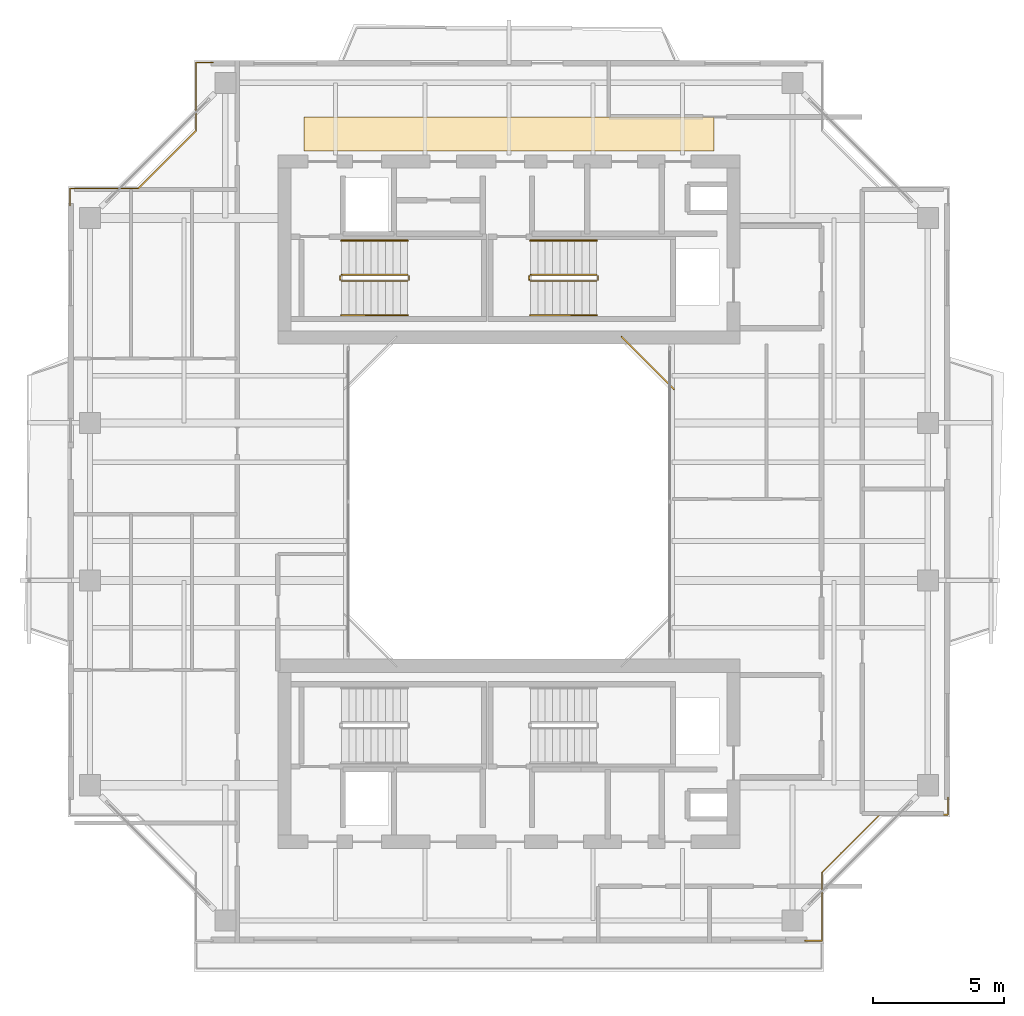
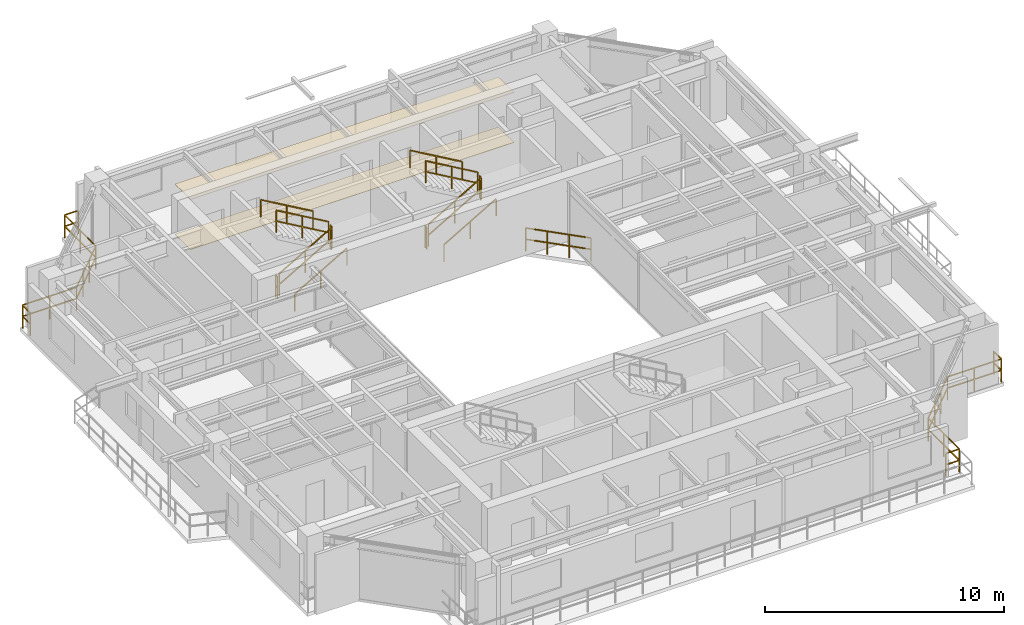
# One storey, part 15 of 16: 15 railings, 2 coverings.
"""IFC4 building model written with IfcOpenShell, lengths in metres."""

from ifc_helpers import new_model, si_unit, direction, frame, origin, origin_2d, place, context, subcontext, project, spatial, polyline, rectangle, outline, extrude, material, layer, layer_set, type_object, element, save


model = new_model("IFC4")

# Units and contexts
model_context = context("Model", 3, precision=1e-05, world=origin(), true_north=direction((0.0, 1.0)))
body_context = subcontext(model_context, "Body", "Model", "MODEL_VIEW")
ifc_project = project(units=[si_unit("LENGTHUNIT", "METRE"), si_unit("AREAUNIT", "SQUARE_METRE"), si_unit("VOLUMEUNIT", "CUBIC_METRE"), si_unit("PLANEANGLEUNIT", "RADIAN"), si_unit("MASSUNIT", "GRAM", prefix="KILO"), si_unit("THERMODYNAMICTEMPERATUREUNIT", "KELVIN"), si_unit("POWERUNIT", "WATT")], contexts=[model_context])

# Site, building, storey
site_placement = place(None, origin())
site = spatial("IfcSite", under=ifc_project, at=site_placement, CompositionType="ELEMENT")
building_placement = place(site_placement, origin())
building = spatial("IfcBuilding", under=site, at=building_placement, Name="Qiaomeng Ring Towers", CompositionType="ELEMENT")
storey_placement = place(building_placement, frame((0.0, 0.0, 190.5)))
storey = spatial("IfcBuildingStorey", under=building, at=storey_placement, Name="L55", CompositionType="ELEMENT", Elevation=190.5)

# Coverings
ifc_material_1 = material(Name="Moisture-resistant gypsum ceiling board", Category="gypsum")
ifc_layer_1 = layer(ifc_material_1, 0.030029296875, Name="Moisture-resistant gypsum ceiling board")
ifc_layer_set_1 = layer_set([ifc_layer_1], Name="Moisture-resistant gypsum ceiling board")
covering_type_1 = type_object("IfcCoveringType", Name="ARC-COV-CEIL2", PredefinedType="CEILING", material=ifc_layer_set_1)
covering_1_placement = place(storey_placement, frame((0.0, 0.0, 2.550048828125)))
element("IfcCovering", 1, at=covering_1_placement, inside=storey, type_object=covering_type_1, Name="L55 Corridor Acoustic Ceiling", PredefinedType="CEILING", context=body_context, shape_type="SweptSolid", body=[
    extrude(outline(polyline([(11.199951171875, 36.35009765625), (11.199951171875, 37.64990234375), (26.800048828125, 37.64990234375), (26.800048828125, 36.35009765625), (11.199951171875, 36.35009765625)])), origin(), (0.0, 0.0, 1.0), 0.02490234375),
])
ifc_material_2 = material(Name="Vitrified porcelain floor tile", Category="ceramic")
ifc_layer_2 = layer(ifc_material_2, 0.02001953125, Name="Vitrified porcelain floor tile")
ifc_layer_set_2 = layer_set([ifc_layer_2], Name="Vitrified porcelain floor tile")
covering_type_2 = type_object("IfcCoveringType", Name="ARC-COV-FLR1", PredefinedType="FLOORING", material=ifc_layer_set_2)
covering_2_placement = place(storey_placement, origin())
element("IfcCovering", 2, at=covering_2_placement, inside=storey, type_object=covering_type_2, Name="L55 Corridor Stone Flooring", PredefinedType="FLOORING", context=body_context, shape_type="SweptSolid", body=[
    extrude(outline(polyline([(11.199951171875, 36.35009765625), (11.199951171875, 37.64990234375), (26.800048828125, 37.64990234375), (26.800048828125, 36.35009765625), (11.199951171875, 36.35009765625)])), origin(), (0.0, 0.0, 1.0), 0.02001953125),
])

# Railings
ifc_material_3 = material(Name="Low-E pale-green laminated safety glass", Category="glass")
railing_type_1 = type_object("IfcRailingType", Name="ARC-RL-BAL1", PredefinedType="BALUSTRADE", material=ifc_material_3)
railing_1_placement = place(storey_placement, frame((25.280029296875, 27.280029296875, 0.0)))
element("IfcRailing", 3, at=railing_1_placement, inside=storey, type_object=railing_type_1, Name="L55 Balustrade ARC-BAL-WELL1-L55-2", PredefinedType="BALUSTRADE", context=body_context, shape_type="SweptSolid", body=[
    extrude(rectangle(XDim=0.048095703125, YDim=0.048095703125, at=origin_2d()), frame((0.0, 0.0, 1.17578125), z_axis=(-0.707106781187, 0.707106781187, 0.0), x_axis=(-0.707106781187, -0.707106781187, 0.0)), (0.0, 0.0, 1.0), 2.828369140625),
    extrude(rectangle(XDim=0.048095703125, YDim=0.048095703125, at=origin_2d()), frame((0.0, 0.0, 0.60009765625), z_axis=(-0.707106781187, 0.707106781187, 0.0), x_axis=(-0.707106781187, -0.707106781187, 0.0)), (0.0, 0.0, 1.0), 2.828369140625),
    extrude(rectangle(XDim=0.0419921875, YDim=0.0419921875, at=origin_2d()), origin(), (0.0, 0.0, 1.0), 1.15185546875),
    extrude(rectangle(XDim=0.0419921875, YDim=0.0419921875, at=origin_2d()), frame((-0.666748046875, 0.666748046875, 0.0)), (0.0, 0.0, 1.0), 1.15185546875),
    extrude(rectangle(XDim=0.0419921875, YDim=0.0419921875, at=origin_2d()), frame((-1.333251953125, 1.333251953125, 0.0)), (0.0, 0.0, 1.0), 1.15185546875),
    extrude(rectangle(XDim=0.0419921875, YDim=0.0419921875, at=origin_2d()), frame((-2.0, 2.0, 0.0)), (0.0, 0.0, 1.0), 1.15185546875),
])
railing_2_placement = place(storey_placement, frame((30.27001953125, 6.280029296875, 0.0)))
element("IfcRailing", 4, at=railing_2_placement, inside=storey, type_object=railing_type_1, Name="L55 Balustrade ARC-BAL-NOTCH1-L55-SE", PredefinedType="BALUSTRADE", context=body_context, shape_type="SweptSolid", body=[
    extrude(rectangle(XDim=0.048095703125, YDim=0.048095703125, at=origin_2d()), frame((0.0, 0.0, 1.17578125), z_axis=(1.0, 0.0, 0.0), x_axis=(0.0, 1.0, 0.0)), (0.0, 0.0, 1.0), 0.64990234375),
    extrude(rectangle(XDim=0.048095703125, YDim=0.048095703125, at=origin_2d()), frame((0.0, 0.0, 0.60009765625), z_axis=(1.0, 0.0, 0.0), x_axis=(0.0, 1.0, 0.0)), (0.0, 0.0, 1.0), 0.64990234375),
    extrude(rectangle(XDim=0.048095703125, YDim=0.048095703125, at=origin_2d()), frame((0.64990234375, 0.0, 1.17578125), z_axis=(0.0, 1.0, 0.0), x_axis=(-1.0, 0.0, 0.0)), (0.0, 0.0, 1.0), 2.599853515625),
    extrude(rectangle(XDim=0.048095703125, YDim=0.048095703125, at=origin_2d()), frame((0.64990234375, 0.0, 0.60009765625), z_axis=(0.0, 1.0, 0.0), x_axis=(-1.0, 0.0, 0.0)), (0.0, 0.0, 1.0), 2.599853515625),
    extrude(rectangle(XDim=0.048095703125, YDim=0.048095703125, at=origin_2d()), frame((0.64990234375, 2.599853515625, 1.17578125), z_axis=(0.707106781187, 0.707106781187, 0.0), x_axis=(-0.707106781187, 0.707106781187, 0.0)), (0.0, 0.0, 1.0), 3.111572265625),
    extrude(rectangle(XDim=0.048095703125, YDim=0.048095703125, at=origin_2d()), frame((0.64990234375, 2.599853515625, 0.60009765625), z_axis=(0.707106781187, 0.707106781187, 0.0), x_axis=(-0.707106781187, 0.707106781187, 0.0)), (0.0, 0.0, 1.0), 3.111572265625),
    extrude(rectangle(XDim=0.048095703125, YDim=0.048095703125, at=origin_2d()), frame((2.85009765625, 4.800048828125, 1.17578125), z_axis=(1.0, 0.0, 0.0), x_axis=(0.0, 1.0, 0.0)), (0.0, 0.0, 1.0), 2.599853515625),
    extrude(rectangle(XDim=0.048095703125, YDim=0.048095703125, at=origin_2d()), frame((2.85009765625, 4.800048828125, 0.60009765625), z_axis=(1.0, 0.0, 0.0), x_axis=(0.0, 1.0, 0.0)), (0.0, 0.0, 1.0), 2.599853515625),
    extrude(rectangle(XDim=0.048095703125, YDim=0.048095703125, at=origin_2d()), frame((5.449951171875, 4.800048828125, 1.17578125), z_axis=(0.0, 1.0, 0.0), x_axis=(-1.0, 0.0, 0.0)), (0.0, 0.0, 1.0), 0.64990234375),
    extrude(rectangle(XDim=0.048095703125, YDim=0.048095703125, at=origin_2d()), frame((5.449951171875, 4.800048828125, 0.60009765625), z_axis=(0.0, 1.0, 0.0), x_axis=(-1.0, 0.0, 0.0)), (0.0, 0.0, 1.0), 0.64990234375),
    extrude(rectangle(XDim=0.0419921875, YDim=0.0419921875, at=origin_2d()), origin(), (0.0, 0.0, 1.0), 1.15185546875),
    extrude(rectangle(XDim=0.0419921875, YDim=0.0419921875, at=origin_2d()), frame((0.64990234375, 0.0, 0.0)), (0.0, 0.0, 1.0), 1.15185546875),
    extrude(rectangle(XDim=0.0419921875, YDim=0.0419921875, at=origin_2d()), frame((0.64990234375, 1.2998046875, 0.0)), (0.0, 0.0, 1.0), 1.15185546875),
    extrude(rectangle(XDim=0.0419921875, YDim=0.0419921875, at=origin_2d()), frame((0.64990234375, 2.599853515625, 0.0)), (0.0, 0.0, 1.0), 1.15185546875),
    extrude(rectangle(XDim=0.0419921875, YDim=0.0419921875, at=origin_2d()), frame((1.38330078125, 3.333251953125, 0.0)), (0.0, 0.0, 1.0), 1.15185546875),
    extrude(rectangle(XDim=0.0419921875, YDim=0.0419921875, at=origin_2d()), frame((2.11669921875, 4.066650390625, 0.0)), (0.0, 0.0, 1.0), 1.15185546875),
    extrude(rectangle(XDim=0.0419921875, YDim=0.0419921875, at=origin_2d()), frame((2.85009765625, 4.800048828125, 0.0)), (0.0, 0.0, 1.0), 1.15185546875),
    extrude(rectangle(XDim=0.0419921875, YDim=0.0419921875, at=origin_2d()), frame((4.14990234375, 4.800048828125, 0.0)), (0.0, 0.0, 1.0), 1.15185546875),
    extrude(rectangle(XDim=0.0419921875, YDim=0.0419921875, at=origin_2d()), frame((5.449951171875, 4.800048828125, 0.0)), (0.0, 0.0, 1.0), 1.15185546875),
    extrude(rectangle(XDim=0.0419921875, YDim=0.0419921875, at=origin_2d()), frame((5.449951171875, 5.449951171875, 0.0)), (0.0, 0.0, 1.0), 1.15185546875),
])
railing_3_placement = place(storey_placement, frame((7.72998046875, 39.719970703125, 0.0)))
element("IfcRailing", 5, at=railing_3_placement, inside=storey, type_object=railing_type_1, Name="L55 Balustrade ARC-BAL-NOTCH1-L55-NW", PredefinedType="BALUSTRADE", context=body_context, shape_type="SweptSolid", body=[
    extrude(rectangle(XDim=0.048095703125, YDim=0.048095703125, at=origin_2d()), frame((0.0, 0.0, 1.17578125), z_axis=(-1.0, 0.0, 0.0), x_axis=(0.0, -1.0, 0.0)), (0.0, 0.0, 1.0), 0.64990234375),
    extrude(rectangle(XDim=0.048095703125, YDim=0.048095703125, at=origin_2d()), frame((0.0, 0.0, 0.60009765625), z_axis=(-1.0, 0.0, 0.0), x_axis=(0.0, -1.0, 0.0)), (0.0, 0.0, 1.0), 0.64990234375),
    extrude(rectangle(XDim=0.048095703125, YDim=0.048095703125, at=origin_2d()), frame((-0.64990234375, 0.0, 1.17578125), z_axis=(0.0, -1.0, 0.0), x_axis=(1.0, 0.0, 0.0)), (0.0, 0.0, 1.0), 2.599853515625),
    extrude(rectangle(XDim=0.048095703125, YDim=0.048095703125, at=origin_2d()), frame((-0.64990234375, 0.0, 0.60009765625), z_axis=(0.0, -1.0, 0.0), x_axis=(1.0, 0.0, 0.0)), (0.0, 0.0, 1.0), 2.599853515625),
    extrude(rectangle(XDim=0.048095703125, YDim=0.048095703125, at=origin_2d()), frame((-0.64990234375, -2.599853515625, 1.17578125), z_axis=(-0.707106781187, -0.707106781187, 0.0), x_axis=(0.707106781187, -0.707106781187, 0.0)), (0.0, 0.0, 1.0), 3.111572265625),
    extrude(rectangle(XDim=0.048095703125, YDim=0.048095703125, at=origin_2d()), frame((-0.64990234375, -2.599853515625, 0.60009765625), z_axis=(-0.707106781187, -0.707106781187, 0.0), x_axis=(0.707106781187, -0.707106781187, 0.0)), (0.0, 0.0, 1.0), 3.111572265625),
    extrude(rectangle(XDim=0.048095703125, YDim=0.048095703125, at=origin_2d()), frame((-2.85009765625, -4.800048828125, 1.17578125), z_axis=(-1.0, 0.0, 0.0), x_axis=(0.0, -1.0, 0.0)), (0.0, 0.0, 1.0), 2.599853515625),
    extrude(rectangle(XDim=0.048095703125, YDim=0.048095703125, at=origin_2d()), frame((-2.85009765625, -4.800048828125, 0.60009765625), z_axis=(-1.0, 0.0, 0.0), x_axis=(0.0, -1.0, 0.0)), (0.0, 0.0, 1.0), 2.599853515625),
    extrude(rectangle(XDim=0.048095703125, YDim=0.048095703125, at=origin_2d()), frame((-5.449951171875, -4.800048828125, 1.17578125), z_axis=(0.0, -1.0, 0.0), x_axis=(1.0, 0.0, 0.0)), (0.0, 0.0, 1.0), 0.64990234375),
    extrude(rectangle(XDim=0.048095703125, YDim=0.048095703125, at=origin_2d()), frame((-5.449951171875, -4.800048828125, 0.60009765625), z_axis=(0.0, -1.0, 0.0), x_axis=(1.0, 0.0, 0.0)), (0.0, 0.0, 1.0), 0.64990234375),
    extrude(rectangle(XDim=0.0419921875, YDim=0.0419921875, at=origin_2d()), origin(), (0.0, 0.0, 1.0), 1.15185546875),
    extrude(rectangle(XDim=0.0419921875, YDim=0.0419921875, at=origin_2d()), frame((-0.64990234375, 0.0, 0.0)), (0.0, 0.0, 1.0), 1.15185546875),
    extrude(rectangle(XDim=0.0419921875, YDim=0.0419921875, at=origin_2d()), frame((-0.64990234375, -1.2998046875, 0.0)), (0.0, 0.0, 1.0), 1.15185546875),
    extrude(rectangle(XDim=0.0419921875, YDim=0.0419921875, at=origin_2d()), frame((-0.64990234375, -2.599853515625, 0.0)), (0.0, 0.0, 1.0), 1.15185546875),
    extrude(rectangle(XDim=0.0419921875, YDim=0.0419921875, at=origin_2d()), frame((-1.38330078125, -3.333251953125, 0.0)), (0.0, 0.0, 1.0), 1.15185546875),
    extrude(rectangle(XDim=0.0419921875, YDim=0.0419921875, at=origin_2d()), frame((-2.11669921875, -4.066650390625, 0.0)), (0.0, 0.0, 1.0), 1.15185546875),
    extrude(rectangle(XDim=0.0419921875, YDim=0.0419921875, at=origin_2d()), frame((-2.85009765625, -4.800048828125, 0.0)), (0.0, 0.0, 1.0), 1.15185546875),
    extrude(rectangle(XDim=0.0419921875, YDim=0.0419921875, at=origin_2d()), frame((-4.14990234375, -4.800048828125, 0.0)), (0.0, 0.0, 1.0), 1.15185546875),
    extrude(rectangle(XDim=0.0419921875, YDim=0.0419921875, at=origin_2d()), frame((-5.449951171875, -4.800048828125, 0.0)), (0.0, 0.0, 1.0), 1.15185546875),
    extrude(rectangle(XDim=0.0419921875, YDim=0.0419921875, at=origin_2d()), frame((-5.449951171875, -5.449951171875, 0.0)), (0.0, 0.0, 1.0), 1.15185546875),
])
ifc_material_4 = material(Name="Galvanised steel", Category="steel")
railing_type_2 = type_object("IfcRailingType", Name="ARC-RL-GUARD", PredefinedType="GUARDRAIL", material=ifc_material_4)
railing_4_placement = place(storey_placement, frame((12.6201171875, 31.39990234375, 0.16259765625)))
element("IfcRailing", 6, at=railing_4_placement, inside=storey, type_object=railing_type_2, Name="L55 ST1 stair guard 1", PredefinedType="GUARDRAIL", context=body_context, shape_type="SweptSolid", body=[
    extrude(rectangle(XDim=0.048095703125, YDim=0.048095703125, at=origin_2d()), frame((0.0, 0.0, 1.1259765625), z_axis=(0.864892226395, 0.0, 0.501957604506), x_axis=(0.0, 1.0, 0.0)), (0.0, 0.0, 1.0), 2.913330078125),
    extrude(rectangle(XDim=0.048095703125, YDim=0.048095703125, at=origin_2d()), frame((0.0, 0.0, 0.574951171875), z_axis=(0.864892226395, 0.0, 0.501957604506), x_axis=(0.0, 1.0, 0.0)), (0.0, 0.0, 1.0), 2.913330078125),
    extrude(rectangle(XDim=0.0419921875, YDim=0.0419921875, at=origin_2d()), origin(), (0.0, 0.0, 1.0), 1.101806640625),
    extrude(rectangle(XDim=0.0419921875, YDim=0.0419921875, at=origin_2d()), frame((1.259765625, 0.0, 0.731201171875)), (0.0, 0.0, 1.0), 1.101806640625),
    extrude(rectangle(XDim=0.0419921875, YDim=0.0419921875, at=origin_2d()), frame((2.519775390625, 0.0, 1.46240234375)), (0.0, 0.0, 1.0), 1.101806640625),
])
railing_5_placement = place(storey_placement, frame((15.18994140625, 31.449951171875, 1.625)))
element("IfcRailing", 7, at=railing_5_placement, inside=storey, type_object=railing_type_2, Name="L55 ST1 stair guard 2", PredefinedType="GUARDRAIL", context=body_context, shape_type="SweptSolid", body=[
    extrude(rectangle(XDim=0.048095703125, YDim=0.048095703125, at=origin_2d()), frame((0.0, 0.0, 1.1259765625), z_axis=(0.0, 1.0, 0.0), x_axis=(-1.0, 0.0, 0.0)), (0.0, 0.0, 1.0), 0.14013671875),
    extrude(rectangle(XDim=0.048095703125, YDim=0.048095703125, at=origin_2d()), frame((0.0, 0.0, 0.574951171875), z_axis=(0.0, 1.0, 0.0), x_axis=(-1.0, 0.0, 0.0)), (0.0, 0.0, 1.0), 0.14013671875),
    extrude(rectangle(XDim=0.0419921875, YDim=0.0419921875, at=origin_2d()), origin(), (0.0, 0.0, 1.0), 1.101806640625),
    extrude(rectangle(XDim=0.0419921875, YDim=0.0419921875, at=origin_2d()), frame((0.0, 0.14013671875, 0.0)), (0.0, 0.0, 1.0), 1.101806640625),
])
railing_6_placement = place(storey_placement, frame((15.139892578125, 31.639892578125, 1.78759765625)))
element("IfcRailing", 8, at=railing_6_placement, inside=storey, type_object=railing_type_2, Name="L55 ST1 stair guard 3", PredefinedType="GUARDRAIL", context=body_context, shape_type="SweptSolid", body=[
    extrude(rectangle(XDim=0.048095703125, YDim=0.048095703125, at=origin_2d()), frame((0.0, 0.0, 1.1259765625), z_axis=(-0.864892226395, 0.0, 0.501957604506), x_axis=(0.0, -1.0, 0.0)), (0.0, 0.0, 1.0), 2.913330078125),
    extrude(rectangle(XDim=0.048095703125, YDim=0.048095703125, at=origin_2d()), frame((0.0, 0.0, 0.574951171875), z_axis=(-0.864892226395, 0.0, 0.501957604506), x_axis=(0.0, -1.0, 0.0)), (0.0, 0.0, 1.0), 2.913330078125),
    extrude(rectangle(XDim=0.0419921875, YDim=0.0419921875, at=origin_2d()), origin(), (0.0, 0.0, 1.0), 1.101806640625),
    extrude(rectangle(XDim=0.0419921875, YDim=0.0419921875, at=origin_2d()), frame((-1.259765625, 0.0, 0.731201171875)), (0.0, 0.0, 1.0), 1.101806640625),
    extrude(rectangle(XDim=0.0419921875, YDim=0.0419921875, at=origin_2d()), frame((-2.519775390625, 0.0, 1.46240234375)), (0.0, 0.0, 1.0), 1.101806640625),
])
railing_7_placement = place(storey_placement, frame((12.570068359375, 31.449951171875, 0.0)))
element("IfcRailing", 9, at=railing_7_placement, inside=storey, type_object=railing_type_2, Name="L55 ST1 stair guard 4", PredefinedType="GUARDRAIL", context=body_context, shape_type="SweptSolid", body=[
    extrude(rectangle(XDim=0.048095703125, YDim=0.048095703125, at=origin_2d()), frame((0.0, 0.0, 1.1259765625), z_axis=(0.0, 1.0, 0.0), x_axis=(-1.0, 0.0, 0.0)), (0.0, 0.0, 1.0), 0.14013671875),
    extrude(rectangle(XDim=0.048095703125, YDim=0.048095703125, at=origin_2d()), frame((0.0, 0.0, 0.574951171875), z_axis=(0.0, 1.0, 0.0), x_axis=(-1.0, 0.0, 0.0)), (0.0, 0.0, 1.0), 0.14013671875),
    extrude(rectangle(XDim=0.0419921875, YDim=0.0419921875, at=origin_2d()), origin(), (0.0, 0.0, 1.0), 1.101806640625),
    extrude(rectangle(XDim=0.0419921875, YDim=0.0419921875, at=origin_2d()), frame((0.0, 0.14013671875, 0.0)), (0.0, 0.0, 1.0), 1.101806640625),
])
railing_8_placement = place(storey_placement, frame((19.820068359375, 31.39990234375, 0.16259765625)))
element("IfcRailing", 10, at=railing_8_placement, inside=storey, type_object=railing_type_2, Name="L55 ST2 stair guard 1", PredefinedType="GUARDRAIL", context=body_context, shape_type="SweptSolid", body=[
    extrude(rectangle(XDim=0.048095703125, YDim=0.048095703125, at=origin_2d()), frame((0.0, 0.0, 1.1259765625), z_axis=(0.864913338283, 0.0, 0.50192122615), x_axis=(0.0, 1.0, 0.0)), (0.0, 0.0, 1.0), 2.91357421875),
    extrude(rectangle(XDim=0.048095703125, YDim=0.048095703125, at=origin_2d()), frame((0.0, 0.0, 0.574951171875), z_axis=(0.864913338283, 0.0, 0.50192122615), x_axis=(0.0, 1.0, 0.0)), (0.0, 0.0, 1.0), 2.91357421875),
    extrude(rectangle(XDim=0.0419921875, YDim=0.0419921875, at=origin_2d()), origin(), (0.0, 0.0, 1.0), 1.101806640625),
    extrude(rectangle(XDim=0.0419921875, YDim=0.0419921875, at=origin_2d()), frame((1.260009765625, 0.0, 0.731201171875)), (0.0, 0.0, 1.0), 1.101806640625),
    extrude(rectangle(XDim=0.0419921875, YDim=0.0419921875, at=origin_2d()), frame((2.52001953125, 0.0, 1.46240234375)), (0.0, 0.0, 1.0), 1.101806640625),
])
railing_9_placement = place(storey_placement, frame((22.389892578125, 31.449951171875, 1.625)))
element("IfcRailing", 11, at=railing_9_placement, inside=storey, type_object=railing_type_2, Name="L55 ST2 stair guard 2", PredefinedType="GUARDRAIL", context=body_context, shape_type="SweptSolid", body=[
    extrude(rectangle(XDim=0.048095703125, YDim=0.048095703125, at=origin_2d()), frame((0.0, 0.0, 1.1259765625), z_axis=(0.0, 1.0, 0.0), x_axis=(-1.0, 0.0, 0.0)), (0.0, 0.0, 1.0), 0.14013671875),
    extrude(rectangle(XDim=0.048095703125, YDim=0.048095703125, at=origin_2d()), frame((0.0, 0.0, 0.574951171875), z_axis=(0.0, 1.0, 0.0), x_axis=(-1.0, 0.0, 0.0)), (0.0, 0.0, 1.0), 0.14013671875),
    extrude(rectangle(XDim=0.0419921875, YDim=0.0419921875, at=origin_2d()), origin(), (0.0, 0.0, 1.0), 1.101806640625),
    extrude(rectangle(XDim=0.0419921875, YDim=0.0419921875, at=origin_2d()), frame((0.0, 0.14013671875, 0.0)), (0.0, 0.0, 1.0), 1.101806640625),
])
railing_10_placement = place(storey_placement, frame((22.340087890625, 31.639892578125, 1.78759765625)))
element("IfcRailing", 12, at=railing_10_placement, inside=storey, type_object=railing_type_2, Name="L55 ST2 stair guard 3", PredefinedType="GUARDRAIL", context=body_context, shape_type="SweptSolid", body=[
    extrude(rectangle(XDim=0.048095703125, YDim=0.048095703125, at=origin_2d()), frame((0.0, 0.0, 1.1259765625), z_axis=(-0.864913338283, 0.0, 0.50192122615), x_axis=(0.0, -1.0, 0.0)), (0.0, 0.0, 1.0), 2.91357421875),
    extrude(rectangle(XDim=0.048095703125, YDim=0.048095703125, at=origin_2d()), frame((0.0, 0.0, 0.574951171875), z_axis=(-0.864913338283, 0.0, 0.50192122615), x_axis=(0.0, -1.0, 0.0)), (0.0, 0.0, 1.0), 2.91357421875),
    extrude(rectangle(XDim=0.0419921875, YDim=0.0419921875, at=origin_2d()), origin(), (0.0, 0.0, 1.0), 1.101806640625),
    extrude(rectangle(XDim=0.0419921875, YDim=0.0419921875, at=origin_2d()), frame((-1.260009765625, 0.0, 0.731201171875)), (0.0, 0.0, 1.0), 1.101806640625),
    extrude(rectangle(XDim=0.0419921875, YDim=0.0419921875, at=origin_2d()), frame((-2.52001953125, 0.0, 1.46240234375)), (0.0, 0.0, 1.0), 1.101806640625),
])
railing_11_placement = place(storey_placement, frame((19.77001953125, 31.449951171875, 0.0)))
element("IfcRailing", 13, at=railing_11_placement, inside=storey, type_object=railing_type_2, Name="L55 ST2 stair guard 4", PredefinedType="GUARDRAIL", context=body_context, shape_type="SweptSolid", body=[
    extrude(rectangle(XDim=0.048095703125, YDim=0.048095703125, at=origin_2d()), frame((0.0, 0.0, 1.1259765625), z_axis=(0.0, 1.0, 0.0), x_axis=(-1.0, 0.0, 0.0)), (0.0, 0.0, 1.0), 0.14013671875),
    extrude(rectangle(XDim=0.048095703125, YDim=0.048095703125, at=origin_2d()), frame((0.0, 0.0, 0.574951171875), z_axis=(0.0, 1.0, 0.0), x_axis=(-1.0, 0.0, 0.0)), (0.0, 0.0, 1.0), 0.14013671875),
    extrude(rectangle(XDim=0.0419921875, YDim=0.0419921875, at=origin_2d()), origin(), (0.0, 0.0, 1.0), 1.101806640625),
    extrude(rectangle(XDim=0.0419921875, YDim=0.0419921875, at=origin_2d()), frame((0.0, 0.14013671875, 0.0)), (0.0, 0.0, 1.0), 1.101806640625),
])
ifc_material_5 = material(Name="Stainless steel 316", Category="steel")
railing_type_3 = type_object("IfcRailingType", Name="ARC-RL-HAND", PredefinedType="HANDRAIL", material=ifc_material_5)
railing_12_placement = place(storey_placement, frame((12.6201171875, 30.10009765625, 0.16259765625)))
element("IfcRailing", 14, at=railing_12_placement, inside=storey, type_object=railing_type_3, Name="L55 ST1 stair handrail 1", PredefinedType="HANDRAIL", context=body_context, shape_type="SweptSolid", body=[
    extrude(rectangle(XDim=0.048095703125, YDim=0.048095703125, at=origin_2d()), frame((0.0, 0.0, 0.8759765625), z_axis=(0.864892226395, 0.0, 0.501957604506), x_axis=(0.0, 1.0, 0.0)), (0.0, 0.0, 1.0), 2.913330078125),
    extrude(rectangle(XDim=0.0419921875, YDim=0.0419921875, at=origin_2d()), origin(), (0.0, 0.0, 1.0), 0.851806640625),
    extrude(rectangle(XDim=0.0419921875, YDim=0.0419921875, at=origin_2d()), frame((1.259765625, 0.0, 0.731201171875)), (0.0, 0.0, 1.0), 0.851806640625),
    extrude(rectangle(XDim=0.0419921875, YDim=0.0419921875, at=origin_2d()), frame((2.519775390625, 0.0, 1.46240234375)), (0.0, 0.0, 1.0), 0.851806640625),
])
railing_13_placement = place(storey_placement, frame((15.139892578125, 32.93994140625, 1.78759765625)))
element("IfcRailing", 15, at=railing_13_placement, inside=storey, type_object=railing_type_3, Name="L55 ST1 stair handrail 2", PredefinedType="HANDRAIL", context=body_context, shape_type="SweptSolid", body=[
    extrude(rectangle(XDim=0.048095703125, YDim=0.048095703125, at=origin_2d()), frame((0.0, 0.0, 0.8759765625), z_axis=(-0.864892226395, 0.0, 0.501957604506), x_axis=(0.0, -1.0, 0.0)), (0.0, 0.0, 1.0), 2.913330078125),
    extrude(rectangle(XDim=0.0419921875, YDim=0.0419921875, at=origin_2d()), origin(), (0.0, 0.0, 1.0), 0.851806640625),
    extrude(rectangle(XDim=0.0419921875, YDim=0.0419921875, at=origin_2d()), frame((-1.259765625, 0.0, 0.731201171875)), (0.0, 0.0, 1.0), 0.851806640625),
    extrude(rectangle(XDim=0.0419921875, YDim=0.0419921875, at=origin_2d()), frame((-2.519775390625, 0.0, 1.46240234375)), (0.0, 0.0, 1.0), 0.851806640625),
])
railing_14_placement = place(storey_placement, frame((19.820068359375, 30.10009765625, 0.16259765625)))
element("IfcRailing", 16, at=railing_14_placement, inside=storey, type_object=railing_type_3, Name="L55 ST2 stair handrail 1", PredefinedType="HANDRAIL", context=body_context, shape_type="SweptSolid", body=[
    extrude(rectangle(XDim=0.048095703125, YDim=0.048095703125, at=origin_2d()), frame((0.0, 0.0, 0.8759765625), z_axis=(0.864913338283, 0.0, 0.50192122615), x_axis=(0.0, 1.0, 0.0)), (0.0, 0.0, 1.0), 2.91357421875),
    extrude(rectangle(XDim=0.0419921875, YDim=0.0419921875, at=origin_2d()), origin(), (0.0, 0.0, 1.0), 0.851806640625),
    extrude(rectangle(XDim=0.0419921875, YDim=0.0419921875, at=origin_2d()), frame((1.260009765625, 0.0, 0.731201171875)), (0.0, 0.0, 1.0), 0.851806640625),
    extrude(rectangle(XDim=0.0419921875, YDim=0.0419921875, at=origin_2d()), frame((2.52001953125, 0.0, 1.46240234375)), (0.0, 0.0, 1.0), 0.851806640625),
])
railing_15_placement = place(storey_placement, frame((22.340087890625, 32.93994140625, 1.78759765625)))
element("IfcRailing", 17, at=railing_15_placement, inside=storey, type_object=railing_type_3, Name="L55 ST2 stair handrail 2", PredefinedType="HANDRAIL", context=body_context, shape_type="SweptSolid", body=[
    extrude(rectangle(XDim=0.048095703125, YDim=0.048095703125, at=origin_2d()), frame((0.0, 0.0, 0.8759765625), z_axis=(-0.864913338283, 0.0, 0.50192122615), x_axis=(0.0, -1.0, 0.0)), (0.0, 0.0, 1.0), 2.91357421875),
    extrude(rectangle(XDim=0.0419921875, YDim=0.0419921875, at=origin_2d()), origin(), (0.0, 0.0, 1.0), 0.851806640625),
    extrude(rectangle(XDim=0.0419921875, YDim=0.0419921875, at=origin_2d()), frame((-1.260009765625, 0.0, 0.731201171875)), (0.0, 0.0, 1.0), 0.851806640625),
    extrude(rectangle(XDim=0.0419921875, YDim=0.0419921875, at=origin_2d()), frame((-2.52001953125, 0.0, 1.46240234375)), (0.0, 0.0, 1.0), 0.851806640625),
])

save(model, "model.ifc")
